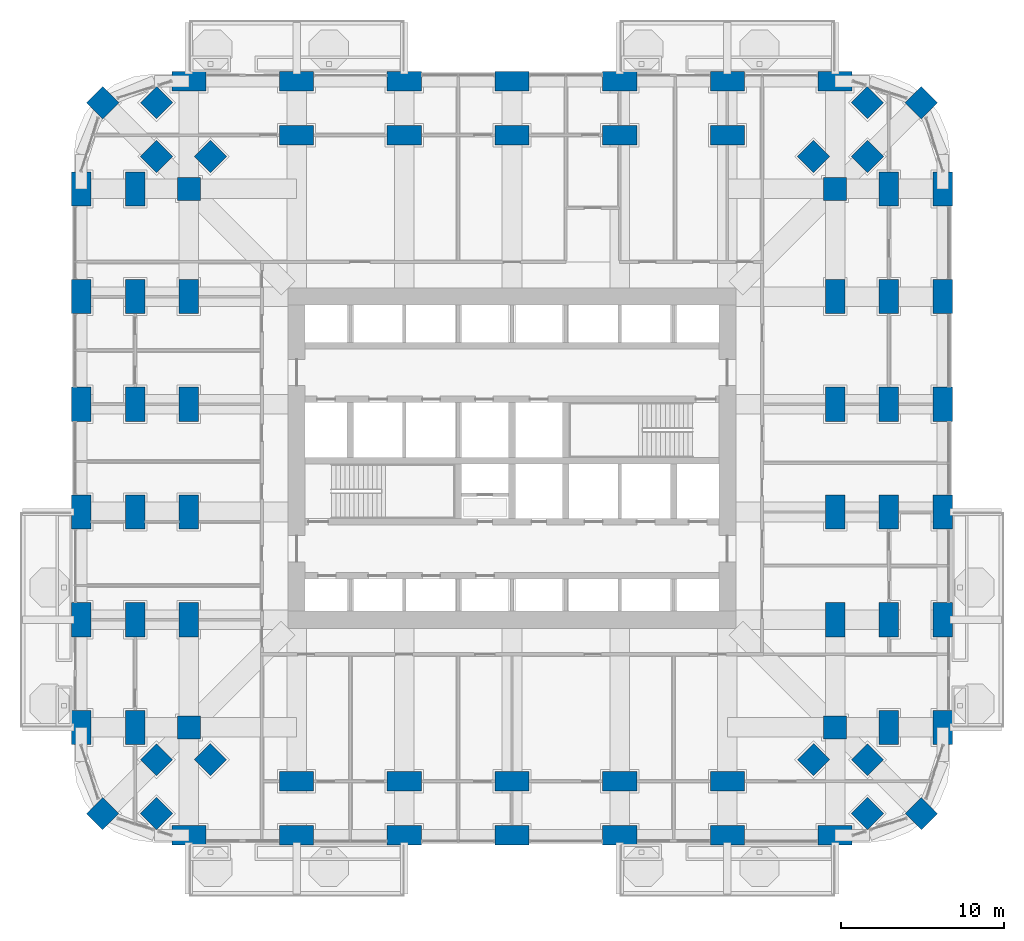
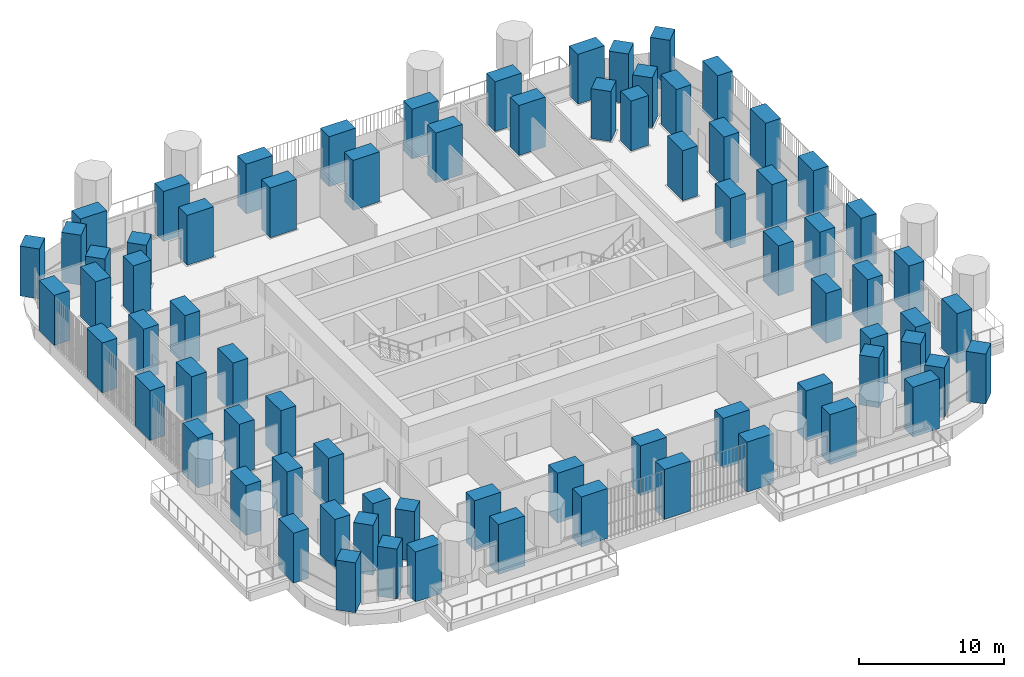
# One storey, part 1 of 27: 76 columns.
"""IFC4 building model written with IfcOpenShell, lengths in metres."""

from ifc_helpers import new_model, si_unit, direction, frame, origin, origin_2d, place, context, subcontext, project, spatial, rectangle, extrude, material, material_profile, profile_set, type_object, element, save


model = new_model("IFC4")

# Units and contexts
model_context = context("Model", 3, precision=1e-05, world=origin(), true_north=direction((0.0, 1.0)))
body_context = subcontext(model_context, "Body", "Model", "MODEL_VIEW")
ifc_project = project(units=[si_unit("LENGTHUNIT", "METRE"), si_unit("AREAUNIT", "SQUARE_METRE"), si_unit("VOLUMEUNIT", "CUBIC_METRE"), si_unit("PLANEANGLEUNIT", "RADIAN"), si_unit("MASSUNIT", "GRAM", prefix="KILO")], contexts=[model_context])

# Site, building, storey
site_placement = place(None, origin())
site = spatial("IfcSite", under=ifc_project, at=site_placement, CompositionType="ELEMENT")
building_placement = place(site_placement, origin())
building = spatial("IfcBuilding", under=site, at=building_placement, Name="Cobogo Forest Laboratory Tower", CompositionType="ELEMENT")
storey_placement = place(building_placement, frame((0.0, 0.0, 38.10009765625)))
storey = spatial("IfcBuildingStorey", under=building, at=storey_placement, Name="L08", CompositionType="ELEMENT", Elevation=38.10009765625)

# Columns
ifc_material = material(Name="Concrete HA-50 (C50/60)", Category="concrete")
ifc_material_profile_1 = material_profile(ifc_material, rectangle(XDim=2.10009765625, YDim=1.199951171875, at=origin_2d()), Name="RC 1200x2100")
ifc_profile_set_1 = profile_set([ifc_material_profile_1], Name="Concrete HA-50 (C50/60)")
column_type_1 = type_object("IfcColumnType", Name="Blade column 1200x2100", PredefinedType="COLUMN", material=ifc_profile_set_1)
for number, where, z_axis, x_axis, name in (
    (1, (6.60009765625, 0.0, 0.0), (0.0, 0.0, 1.0), (1.0, 0.0, 0.0), "Column 2-A L08"),
    (2, (13.199951171875, 0.0, 0.0), (0.0, 0.0, 1.0), (1.0, 0.0, 0.0), "Column 3-A L08"),
    (3, (19.800048828125, 0.0, 0.0), (0.0, 0.0, 1.0), (1.0, 0.0, 0.0), "Column 4-A L08"),
    (4, (26.39990234375, 0.0, 0.0), (0.0, 0.0, 1.0), (1.0, 0.0, 0.0), "Column 5-A L08"),
    (5, (33.0, 0.0, 0.0), (0.0, 0.0, 1.0), (1.0, 0.0, 0.0), "Column 6-A L08"),
    (6, (39.60009765625, 0.0, 0.0), (0.0, 0.0, 1.0), (1.0, 0.0, 0.0), "Column 7-A L08"),
    (7, (46.199951171875, 0.0, 0.0), (0.0, 0.0, 1.0), (1.0, 0.0, 0.0), "Column 8-A L08"),
    (8, (0.0, 6.60009765625, 0.0), (0.0, 0.0, 1.0), (0.0, 1.0, 0.0), "Column 1-B L08"),
    (9, (52.800048828125, 6.60009765625, 0.0), (0.0, 0.0, 1.0), (0.0, 1.0, 0.0), "Column 9-B L08"),
    (10, (0.0, 13.199951171875, 0.0), (0.0, 0.0, 1.0), (0.0, 1.0, 0.0), "Column 1-C L08"),
    (11, (52.800048828125, 13.199951171875, 0.0), (0.0, 0.0, 1.0), (0.0, 1.0, 0.0), "Column 9-C L08"),
    (12, (0.0, 19.800048828125, 0.0), (0.0, 0.0, 1.0), (0.0, 1.0, 0.0), "Column 1-D L08"),
    (13, (52.800048828125, 19.800048828125, 0.0), (0.0, 0.0, 1.0), (0.0, 1.0, 0.0), "Column 9-D L08"),
    (14, (0.0, 26.39990234375, 0.0), (0.0, 0.0, 1.0), (0.0, 1.0, 0.0), "Column 1-E L08"),
    (15, (52.800048828125, 26.39990234375, 0.0), (0.0, 0.0, 1.0), (0.0, 1.0, 0.0), "Column 9-E L08"),
    (16, (0.0, 33.0, 0.0), (0.0, 0.0, 1.0), (0.0, 1.0, 0.0), "Column 1-F L08"),
    (17, (52.800048828125, 33.0, 0.0), (0.0, 0.0, 1.0), (0.0, 1.0, 0.0), "Column 9-F L08"),
    (18, (0.0, 39.60009765625, 0.0), (0.0, 0.0, 1.0), (0.0, 1.0, 0.0), "Column 1-G L08"),
    (19, (52.800048828125, 39.60009765625, 0.0), (0.0, 0.0, 1.0), (0.0, 1.0, 0.0), "Column 9-G L08"),
    (20, (6.60009765625, 46.199951171875, 0.0), (0.0, 0.0, 1.0), (1.0, 0.0, 0.0), "Column 2-H L08"),
    (21, (13.199951171875, 46.199951171875, 0.0), (0.0, 0.0, 1.0), (1.0, 0.0, 0.0), "Column 3-H L08"),
    (22, (19.800048828125, 46.199951171875, 0.0), (0.0, 0.0, 1.0), (1.0, 0.0, 0.0), "Column 4-H L08"),
    (23, (26.39990234375, 46.199951171875, 0.0), (0.0, 0.0, 1.0), (1.0, 0.0, 0.0), "Column 5-H L08"),
    (24, (33.0, 46.199951171875, 0.0), (0.0, 0.0, 1.0), (1.0, 0.0, 0.0), "Column 6-H L08"),
    (25, (39.60009765625, 46.199951171875, 0.0), (0.0, 0.0, 1.0), (1.0, 0.0, 0.0), "Column 7-H L08"),
    (26, (46.199951171875, 46.199951171875, 0.0), (0.0, 0.0, 1.0), (1.0, 0.0, 0.0), "Column 8-H L08"),
    (27, (3.300048828125, 6.60009765625, 0.0), (0.0, 0.0, 1.0), (0.0, 1.0, 0.0), "Column 1.1-B-B L08"),
    (28, (49.5, 6.60009765625, 0.0), (0.0, 0.0, 1.0), (0.0, 1.0, 0.0), "Column 8.1-B-B L08"),
    (29, (3.300048828125, 13.199951171875, 0.0), (0.0, 0.0, 1.0), (0.0, 1.0, 0.0), "Column 1.1-C-B L08"),
    (30, (49.5, 13.199951171875, 0.0), (0.0, 0.0, 1.0), (0.0, 1.0, 0.0), "Column 8.1-C-B L08"),
    (31, (3.300048828125, 19.800048828125, 0.0), (0.0, 0.0, 1.0), (0.0, 1.0, 0.0), "Column 1.1-D-B L08"),
    (32, (49.5, 19.800048828125, 0.0), (0.0, 0.0, 1.0), (0.0, 1.0, 0.0), "Column 8.1-D-B L08"),
    (33, (3.300048828125, 26.39990234375, 0.0), (0.0, 0.0, 1.0), (0.0, 1.0, 0.0), "Column 1.1-E-B L08"),
    (34, (49.5, 26.39990234375, 0.0), (0.0, 0.0, 1.0), (0.0, 1.0, 0.0), "Column 8.1-E-B L08"),
    (35, (3.300048828125, 33.0, 0.0), (0.0, 0.0, 1.0), (0.0, 1.0, 0.0), "Column 1.1-F-B L08"),
    (36, (49.5, 33.0, 0.0), (0.0, 0.0, 1.0), (0.0, 1.0, 0.0), "Column 8.1-F-B L08"),
    (37, (3.300048828125, 39.60009765625, 0.0), (0.0, 0.0, 1.0), (0.0, 1.0, 0.0), "Column 1.1-G-B L08"),
    (38, (49.5, 39.60009765625, 0.0), (0.0, 0.0, 1.0), (0.0, 1.0, 0.0), "Column 8.1-G-B L08"),
    (39, (13.199951171875, 3.300048828125, 0.0), (0.0, 0.0, 1.0), (1.0, 0.0, 0.0), "Column 3-A.1-C L08"),
    (40, (19.800048828125, 3.300048828125, 0.0), (0.0, 0.0, 1.0), (1.0, 0.0, 0.0), "Column 4-A.1-C L08"),
    (41, (26.39990234375, 3.300048828125, 0.0), (0.0, 0.0, 1.0), (1.0, 0.0, 0.0), "Column 5-A.1-C L08"),
    (42, (33.0, 3.300048828125, 0.0), (0.0, 0.0, 1.0), (1.0, 0.0, 0.0), "Column 6-A.1-C L08"),
    (43, (39.60009765625, 3.300048828125, 0.0), (0.0, 0.0, 1.0), (1.0, 0.0, 0.0), "Column 7-A.1-C L08"),
    (44, (13.199951171875, 42.89990234375, 0.0), (0.0, 0.0, 1.0), (1.0, 0.0, 0.0), "Column 3-G.1-C L08"),
    (45, (19.800048828125, 42.89990234375, 0.0), (0.0, 0.0, 1.0), (1.0, 0.0, 0.0), "Column 4-G.1-C L08"),
    (46, (26.39990234375, 42.89990234375, 0.0), (0.0, 0.0, 1.0), (1.0, 0.0, 0.0), "Column 5-G.1-C L08"),
    (47, (33.0, 42.89990234375, 0.0), (0.0, 0.0, 1.0), (1.0, 0.0, 0.0), "Column 6-G.1-C L08"),
    (48, (39.60009765625, 42.89990234375, 0.0), (0.0, 0.0, 1.0), (1.0, 0.0, 0.0), "Column 7-G.1-C L08"),
    (49, (6.60009765625, 13.199951171875, 0.0), (0.0, 0.0, 1.0), (0.0, 1.0, 0.0), "Column 2-C-D L08"),
    (50, (46.199951171875, 13.199951171875, 0.0), (0.0, 0.0, 1.0), (0.0, 1.0, 0.0), "Column 8-C-D L08"),
    (51, (6.60009765625, 19.800048828125, 0.0), (0.0, 0.0, 1.0), (0.0, 1.0, 0.0), "Column 2-D-D L08"),
    (52, (46.199951171875, 19.800048828125, 0.0), (0.0, 0.0, 1.0), (0.0, 1.0, 0.0), "Column 8-D-D L08"),
    (53, (6.60009765625, 26.39990234375, 0.0), (0.0, 0.0, 1.0), (0.0, 1.0, 0.0), "Column 2-E-D L08"),
    (54, (46.199951171875, 26.39990234375, 0.0), (0.0, 0.0, 1.0), (0.0, 1.0, 0.0), "Column 8-E-D L08"),
    (55, (6.60009765625, 33.0, 0.0), (0.0, 0.0, 1.0), (0.0, 1.0, 0.0), "Column 2-F-D L08"),
    (56, (46.199951171875, 33.0, 0.0), (0.0, 0.0, 1.0), (0.0, 1.0, 0.0), "Column 8-F-D L08"),
):
    element("IfcColumn", number, at=place(storey_placement, frame(where, z_axis=z_axis, x_axis=x_axis)), inside=storey, type_object=column_type_1, Name=name, PredefinedType="COLUMN", context=body_context, shape_type="SweptSolid", body=[
        extrude(rectangle(XDim=2.10009765625, YDim=1.199951171875, at=origin_2d()), origin(), (0.0, 0.0, 1.0), 4.199951171875),
    ])
ifc_material_profile_2 = material_profile(ifc_material, rectangle(XDim=1.39990234375, YDim=1.39990234375, at=origin_2d()), Name="RC 1400x1400")
ifc_profile_set_2 = profile_set([ifc_material_profile_2], Name="Concrete HA-50 (C50/60)")
column_type_2 = type_object("IfcColumnType", Name="Column 1400x1400", PredefinedType="COLUMN", material=ifc_profile_set_2)
for number, where, z_axis, x_axis, name in (
    (57, (1.318115234375, 1.318115234375, 0.0), (0.0, 0.0, 1.0), (0.707106781187, 0.707106781187, 0.0), "Column CNR-SW L08"),
    (58, (51.48193359375, 1.318115234375, 0.0), (0.0, 0.0, 1.0), (0.707106781187, 0.707106781187, 0.0), "Column CNR-SE L08"),
    (59, (1.318115234375, 44.882080078125, 0.0), (0.0, 0.0, 1.0), (0.707106781187, 0.707106781187, 0.0), "Column CNR-NW L08"),
    (60, (51.48193359375, 44.882080078125, 0.0), (0.0, 0.0, 1.0), (0.707106781187, 0.707106781187, 0.0), "Column CNR-NE L08"),
    (61, (6.60009765625, 6.60009765625, 0.0), (0.0, 0.0, 1.0), (1.0, 0.0, 0.0), "Column 2-B L08"),
    (62, (46.199951171875, 6.60009765625, 0.0), (0.0, 0.0, 1.0), (1.0, 0.0, 0.0), "Column 8-B L08"),
    (63, (6.60009765625, 39.60009765625, 0.0), (0.0, 0.0, 1.0), (1.0, 0.0, 0.0), "Column 2-G L08"),
    (64, (46.199951171875, 39.60009765625, 0.0), (0.0, 0.0, 1.0), (1.0, 0.0, 0.0), "Column 8-G L08"),
    (65, (4.617919921875, 1.318115234375, 0.0), (0.0, 0.0, 1.0), (0.707106781187, 0.707106781187, 0.0), "Column CNR-SW-B L08"),
    (66, (48.181884765625, 1.318115234375, 0.0), (0.0, 0.0, 1.0), (0.707106781187, 0.707106781187, 0.0), "Column CNR-SE-B L08"),
    (67, (4.617919921875, 44.882080078125, 0.0), (0.0, 0.0, 1.0), (0.707106781187, 0.707106781187, 0.0), "Column CNR-NW-B L08"),
    (68, (48.181884765625, 44.882080078125, 0.0), (0.0, 0.0, 1.0), (0.707106781187, 0.707106781187, 0.0), "Column CNR-NE-B L08"),
    (69, (4.617919921875, 4.617919921875, 0.0), (0.0, 0.0, 1.0), (0.707106781187, 0.707106781187, 0.0), "Column CNR-SW-C L08"),
    (70, (48.181884765625, 4.617919921875, 0.0), (0.0, 0.0, 1.0), (0.707106781187, 0.707106781187, 0.0), "Column CNR-SE-C L08"),
    (71, (4.617919921875, 41.58203125, 0.0), (0.0, 0.0, 1.0), (0.707106781187, 0.707106781187, 0.0), "Column CNR-NW-C L08"),
    (72, (48.181884765625, 41.58203125, 0.0), (0.0, 0.0, 1.0), (0.707106781187, 0.707106781187, 0.0), "Column CNR-NE-C L08"),
    (73, (7.91796875, 4.617919921875, 0.0), (0.0, 0.0, 1.0), (0.707106781187, 0.707106781187, 0.0), "Column CNR-SW-D L08"),
    (74, (44.882080078125, 4.617919921875, 0.0), (0.0, 0.0, 1.0), (0.707106781187, 0.707106781187, 0.0), "Column CNR-SE-D L08"),
    (75, (7.91796875, 41.58203125, 0.0), (0.0, 0.0, 1.0), (0.707106781187, 0.707106781187, 0.0), "Column CNR-NW-D L08"),
    (76, (44.882080078125, 41.58203125, 0.0), (0.0, 0.0, 1.0), (0.707106781187, 0.707106781187, 0.0), "Column CNR-NE-D L08"),
):
    element("IfcColumn", number, at=place(storey_placement, frame(where, z_axis=z_axis, x_axis=x_axis)), inside=storey, type_object=column_type_2, Name=name, PredefinedType="COLUMN", context=body_context, shape_type="SweptSolid", body=[
        extrude(rectangle(XDim=1.39990234375, YDim=1.39990234375, at=origin_2d()), origin(), (0.0, 0.0, 1.0), 4.199951171875),
    ])

save(model, "model.ifc")
